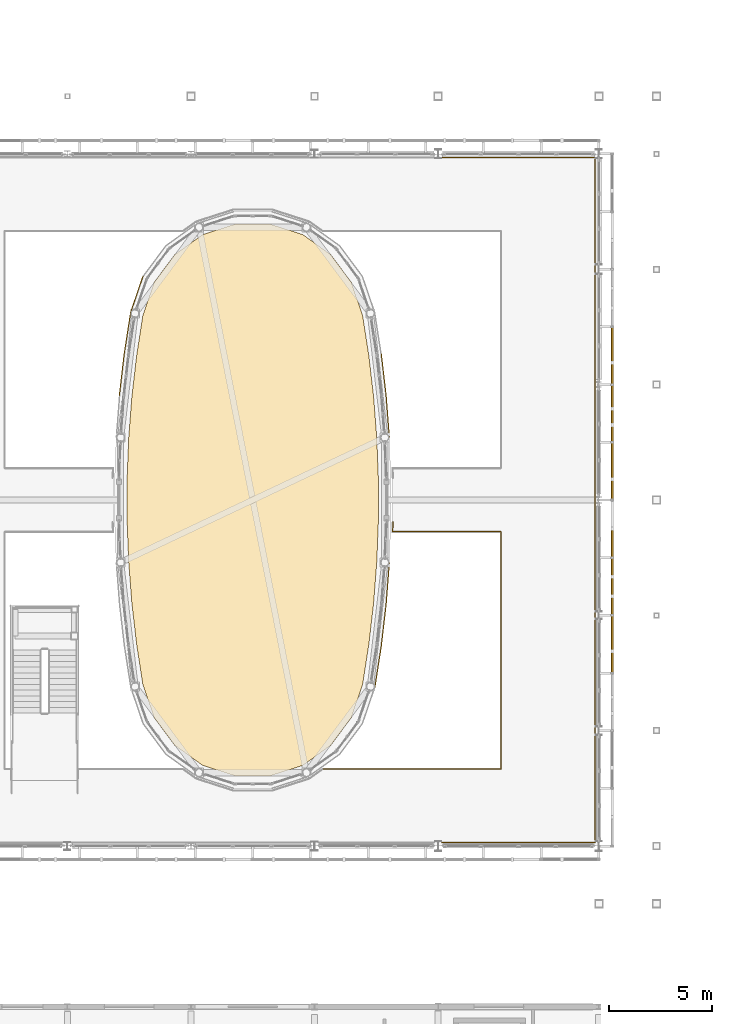
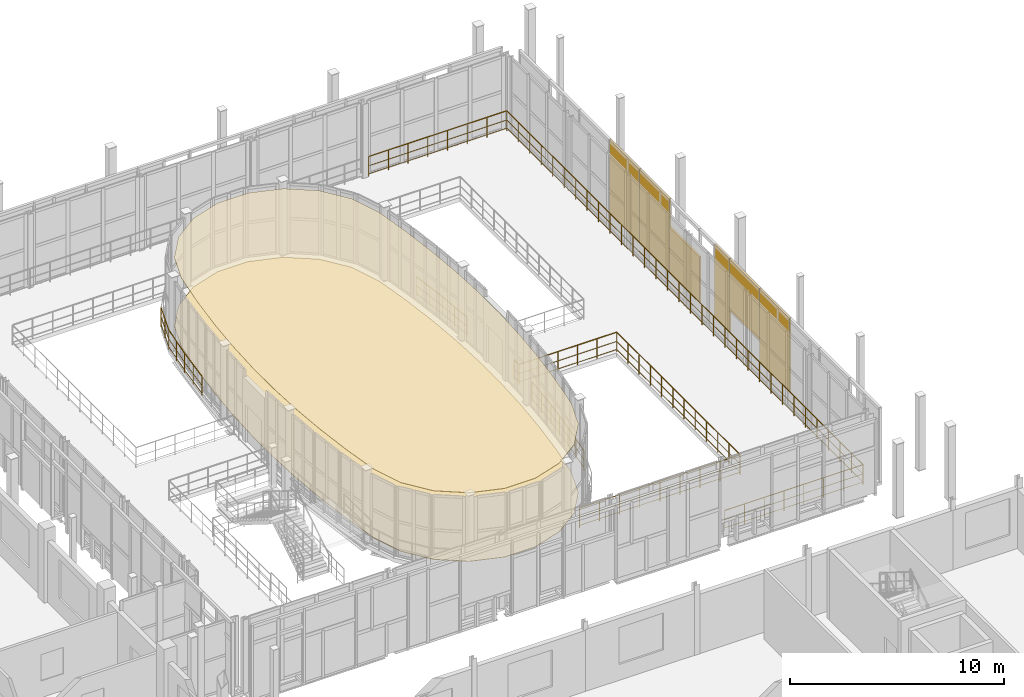
# One storey, part 113 of 121: 10 railings, 6 shading devices, 2 coverings.
"""IFC4 building model written with IfcOpenShell, lengths in metres."""

from ifc_helpers import new_model, si_unit, direction, frame, origin, origin_2d, place, context, subcontext, project, spatial, polyline, rectangle, circle, outline, extrude, material, layer, layer_set, type_object, element, save


model = new_model("IFC4")

# Units and contexts
model_context = context("Model", 3, precision=1e-05, world=origin(), true_north=direction((0.0, 1.0)))
body_context = subcontext(model_context, "Body", "Model", "MODEL_VIEW")
ifc_project = project(units=[si_unit("LENGTHUNIT", "METRE"), si_unit("AREAUNIT", "SQUARE_METRE"), si_unit("VOLUMEUNIT", "CUBIC_METRE"), si_unit("PLANEANGLEUNIT", "RADIAN"), si_unit("MASSUNIT", "GRAM", prefix="KILO")], contexts=[model_context])

# Site, building, storey
site_placement = place(None, origin())
site = spatial("IfcSite", under=ifc_project, at=site_placement, CompositionType="ELEMENT")
building_placement = place(site_placement, origin())
building = spatial("IfcBuilding", under=site, at=building_placement, Name="Vinh Khe Railworks Police Headquarters", CompositionType="ELEMENT")
storey_placement = place(building_placement, frame((0.0, 0.0, 4.800048828125)))
storey = spatial("IfcBuildingStorey", under=building, at=storey_placement, Name="L01", CompositionType="ELEMENT", Elevation=4.800048828125)

# Coverings
ifc_material_1 = material(Name="Mineral fibre acoustic ceiling tile")
ifc_layer_1 = layer(ifc_material_1, 0.034912109375)
ifc_layer_set_1 = layer_set([ifc_layer_1], Name="Mineral fibre acoustic ceiling tile")
covering_type_1 = type_object("IfcCoveringType", Name="COV-CEIL-ACOUSTIC", PredefinedType="CEILING", material=ifc_layer_set_1)
covering_1_placement = place(storey_placement, frame((0.0, 0.0, 3.89501953125)))
element("IfcCovering", 1, at=covering_1_placement, inside=storey, type_object=covering_type_1, Name="Acoustic Ceiling Command and Control Room", PredefinedType="CEILING", context=body_context, shape_type="SweptSolid", body=[
    extrude(outline(polyline([(48.532958984375, 33.03759765625), (48.8369140625, 34.9951171875), (49.068603515625, 36.989013671875), (49.222900390625, 38.990478515625), (49.30029296875, 40.996337890625), (49.30029296875, 43.003662109375), (49.222900390625, 45.009521484375), (49.068603515625, 47.010986328125), (48.8369140625, 49.0048828125), (48.532958984375, 50.96240234375), (47.984619140625, 52.5703125), (46.9873046875, 53.911865234375), (45.627685546875, 54.884765625), (44.035888671875, 55.395751953125), (42.364013671875, 55.395751953125), (40.772216796875, 54.884765625), (39.41259765625, 53.911865234375), (38.415283203125, 52.5703125), (37.8671875, 50.96240234375), (37.56298828125, 49.0048828125), (37.33154296875, 47.010986328125), (37.177001953125, 45.009521484375), (37.099609375, 43.003662109375), (37.099609375, 40.996337890625), (37.177001953125, 38.990478515625), (37.33154296875, 36.989013671875), (37.56298828125, 34.9951171875), (37.8671875, 33.03759765625), (38.415283203125, 31.4296875), (39.41259765625, 30.088134765625), (40.772216796875, 29.115234375), (42.364013671875, 28.604248046875), (44.035888671875, 28.604248046875), (45.627685546875, 29.115234375), (46.9873046875, 30.088134765625), (47.984619140625, 31.4296875), (48.532958984375, 33.03759765625)])), origin(), (0.0, 0.0, 1.0), 0.034912109375),
])
ifc_material_2 = material(Name="Honed granite terrazzo flooring", Category="masonry")
ifc_layer_2 = layer(ifc_material_2, 0.02001953125)
ifc_layer_set_2 = layer_set([ifc_layer_2], Name="Honed granite terrazzo flooring")
covering_type_2 = type_object("IfcCoveringType", Name="COV-FLR-TERRAZZO", PredefinedType="FLOORING", material=ifc_layer_set_2)
covering_2_placement = place(storey_placement, origin())
element("IfcCovering", 2, at=covering_2_placement, inside=storey, type_object=covering_type_2, Name="Terrazzo Floor Finish Command and Control Room", PredefinedType="FLOORING", context=body_context, shape_type="SweptSolid", body=[
    extrude(outline(polyline([(48.532958984375, 33.03759765625), (48.8369140625, 34.9951171875), (49.068603515625, 36.989013671875), (49.222900390625, 38.990478515625), (49.30029296875, 40.996337890625), (49.30029296875, 43.003662109375), (49.222900390625, 45.009521484375), (49.068603515625, 47.010986328125), (48.8369140625, 49.0048828125), (48.532958984375, 50.96240234375), (47.984619140625, 52.5703125), (46.9873046875, 53.911865234375), (45.627685546875, 54.884765625), (44.035888671875, 55.395751953125), (42.364013671875, 55.395751953125), (40.772216796875, 54.884765625), (39.41259765625, 53.911865234375), (38.415283203125, 52.5703125), (37.8671875, 50.96240234375), (37.56298828125, 49.0048828125), (37.33154296875, 47.010986328125), (37.177001953125, 45.009521484375), (37.099609375, 43.003662109375), (37.099609375, 40.996337890625), (37.177001953125, 38.990478515625), (37.33154296875, 36.989013671875), (37.56298828125, 34.9951171875), (37.8671875, 33.03759765625), (38.415283203125, 31.4296875), (39.41259765625, 30.088134765625), (40.772216796875, 29.115234375), (42.364013671875, 28.604248046875), (44.035888671875, 28.604248046875), (45.627685546875, 29.115234375), (46.9873046875, 30.088134765625), (47.984619140625, 31.4296875), (48.532958984375, 33.03759765625)])), origin(), (0.0, 0.0, 1.0), 0.02001953125),
])

# Railings
ifc_material_3 = material(Name="Dark steel and laminated safety glass", Category="steel")
railing_type_1 = type_object("IfcRailingType", Name="RL-ATRIUM-1150", PredefinedType="BALUSTRADE", material=ifc_material_3)
railing_1_placement = place(storey_placement, frame((50.009033203125, 40.949951171875, 0.0)))
element("IfcRailing", 3, at=railing_1_placement, inside=storey, type_object=railing_type_1, Name="Atrium Balustrade GR-V1HOLE-L01-1-04", PredefinedType="BALUSTRADE", context=body_context, shape_type="SweptSolid", body=[
    extrude(circle(Radius=0.02392578125, at=origin_2d()), frame((0.0, 0.0, 1.1259765625), z_axis=(-0.038337515315, -0.999264847235, 0.0), x_axis=(0.999264847235, -0.038337515315, 0.0)), (0.0, 0.0, 1.0), 0.490234375),
    extrude(circle(Radius=0.01416015625, at=origin_2d()), frame((0.0, 0.0, 0.137939453125), z_axis=(-0.038337515315, -0.999264847235, 0.0), x_axis=(0.999264847235, -0.038337515315, 0.0)), (0.0, 0.0, 1.0), 0.490234375),
    extrude(circle(Radius=0.01416015625, at=origin_2d()), frame((0.0, 0.0, 0.597900390625), z_axis=(-0.038337515315, -0.999264847235, 0.0), x_axis=(0.999264847235, -0.038337515315, 0.0)), (0.0, 0.0, 1.0), 0.490234375),
    extrude(circle(Radius=0.02392578125, at=origin_2d()), frame((-0.018798828125, -0.489990234375, 1.1259765625), z_axis=(1.0, 0.0, 0.0), x_axis=(0.0, 1.0, 0.0)), (0.0, 0.0, 1.0), 5.269775390625),
    extrude(circle(Radius=0.01416015625, at=origin_2d()), frame((-0.018798828125, -0.489990234375, 0.137939453125), z_axis=(1.0, 0.0, 0.0), x_axis=(0.0, 1.0, 0.0)), (0.0, 0.0, 1.0), 5.269775390625),
    extrude(circle(Radius=0.01416015625, at=origin_2d()), frame((-0.018798828125, -0.489990234375, 0.597900390625), z_axis=(1.0, 0.0, 0.0), x_axis=(0.0, 1.0, 0.0)), (0.0, 0.0, 1.0), 5.269775390625),
    extrude(circle(Radius=0.02392578125, at=origin_2d()), frame((5.2509765625, -0.489990234375, 1.1259765625), z_axis=(0.0, -1.0, 0.0), x_axis=(1.0, 0.0, 0.0)), (0.0, 0.0, 1.0), 11.52001953125),
    extrude(circle(Radius=0.01416015625, at=origin_2d()), frame((5.2509765625, -0.489990234375, 0.137939453125), z_axis=(0.0, -1.0, 0.0), x_axis=(1.0, 0.0, 0.0)), (0.0, 0.0, 1.0), 11.52001953125),
    extrude(circle(Radius=0.01416015625, at=origin_2d()), frame((5.2509765625, -0.489990234375, 0.597900390625), z_axis=(0.0, -1.0, 0.0), x_axis=(1.0, 0.0, 0.0)), (0.0, 0.0, 1.0), 11.52001953125),
    extrude(circle(Radius=0.02392578125, at=origin_2d()), frame((5.2509765625, -12.010009765625, 1.1259765625), z_axis=(-1.0, 0.0, 0.0), x_axis=(0.0, -1.0, 0.0)), (0.0, 0.0, 1.0), 8.656982421875),
    extrude(circle(Radius=0.01416015625, at=origin_2d()), frame((5.2509765625, -12.010009765625, 0.137939453125), z_axis=(-1.0, 0.0, 0.0), x_axis=(0.0, -1.0, 0.0)), (0.0, 0.0, 1.0), 8.656982421875),
    extrude(circle(Radius=0.01416015625, at=origin_2d()), frame((5.2509765625, -12.010009765625, 0.597900390625), z_axis=(-1.0, 0.0, 0.0), x_axis=(0.0, -1.0, 0.0)), (0.0, 0.0, 1.0), 8.656982421875),
    extrude(circle(Radius=0.02099609375, at=origin_2d()), origin(), (0.0, 0.0, 1.0), 1.101806640625),
    extrude(circle(Radius=0.02099609375, at=origin_2d()), frame((-0.018798828125, -0.489990234375, 0.0)), (0.0, 0.0, 1.0), 1.101806640625),
    extrude(circle(Radius=0.02099609375, at=origin_2d()), frame((1.03515625, -0.489990234375, 0.0)), (0.0, 0.0, 1.0), 1.101806640625),
    extrude(circle(Radius=0.02099609375, at=origin_2d()), frame((2.089111328125, -0.489990234375, 0.0)), (0.0, 0.0, 1.0), 1.101806640625),
    extrude(circle(Radius=0.02099609375, at=origin_2d()), frame((3.14306640625, -0.489990234375, 0.0)), (0.0, 0.0, 1.0), 1.101806640625),
    extrude(circle(Radius=0.02099609375, at=origin_2d()), frame((4.197021484375, -0.489990234375, 0.0)), (0.0, 0.0, 1.0), 1.101806640625),
    extrude(circle(Radius=0.02099609375, at=origin_2d()), frame((5.2509765625, -0.489990234375, 0.0)), (0.0, 0.0, 1.0), 1.101806640625),
    extrude(circle(Radius=0.02099609375, at=origin_2d()), frame((5.2509765625, -1.537353515625, 0.0)), (0.0, 0.0, 1.0), 1.101806640625),
    extrude(circle(Radius=0.02099609375, at=origin_2d()), frame((5.2509765625, -2.58447265625, 0.0)), (0.0, 0.0, 1.0), 1.101806640625),
    extrude(circle(Radius=0.02099609375, at=origin_2d()), frame((5.2509765625, -3.6318359375, 0.0)), (0.0, 0.0, 1.0), 1.101806640625),
    extrude(circle(Radius=0.02099609375, at=origin_2d()), frame((5.2509765625, -4.67919921875, 0.0)), (0.0, 0.0, 1.0), 1.101806640625),
    extrude(circle(Radius=0.02099609375, at=origin_2d()), frame((5.2509765625, -5.726318359375, 0.0)), (0.0, 0.0, 1.0), 1.101806640625),
    extrude(circle(Radius=0.02099609375, at=origin_2d()), frame((5.2509765625, -6.773681640625, 0.0)), (0.0, 0.0, 1.0), 1.101806640625),
    extrude(circle(Radius=0.02099609375, at=origin_2d()), frame((5.2509765625, -7.82080078125, 0.0)), (0.0, 0.0, 1.0), 1.101806640625),
    extrude(circle(Radius=0.02099609375, at=origin_2d()), frame((5.2509765625, -8.8681640625, 0.0)), (0.0, 0.0, 1.0), 1.101806640625),
    extrude(circle(Radius=0.02099609375, at=origin_2d()), frame((5.2509765625, -9.91552734375, 0.0)), (0.0, 0.0, 1.0), 1.101806640625),
    extrude(circle(Radius=0.02099609375, at=origin_2d()), frame((5.2509765625, -10.962646484375, 0.0)), (0.0, 0.0, 1.0), 1.101806640625),
    extrude(circle(Radius=0.02099609375, at=origin_2d()), frame((5.2509765625, -12.010009765625, 0.0)), (0.0, 0.0, 1.0), 1.101806640625),
    extrude(circle(Radius=0.02099609375, at=origin_2d()), frame((4.1689453125, -12.010009765625, 0.0)), (0.0, 0.0, 1.0), 1.101806640625),
    extrude(circle(Radius=0.02099609375, at=origin_2d()), frame((3.086669921875, -12.010009765625, 0.0)), (0.0, 0.0, 1.0), 1.101806640625),
    extrude(circle(Radius=0.02099609375, at=origin_2d()), frame((2.004638671875, -12.010009765625, 0.0)), (0.0, 0.0, 1.0), 1.101806640625),
    extrude(circle(Radius=0.02099609375, at=origin_2d()), frame((0.92236328125, -12.010009765625, 0.0)), (0.0, 0.0, 1.0), 1.101806640625),
    extrude(circle(Radius=0.02099609375, at=origin_2d()), frame((-0.15966796875, -12.010009765625, 0.0)), (0.0, 0.0, 1.0), 1.101806640625),
    extrude(circle(Radius=0.02099609375, at=origin_2d()), frame((-1.24169921875, -12.010009765625, 0.0)), (0.0, 0.0, 1.0), 1.101806640625),
    extrude(circle(Radius=0.02099609375, at=origin_2d()), frame((-2.323974609375, -12.010009765625, 0.0)), (0.0, 0.0, 1.0), 1.101806640625),
    extrude(circle(Radius=0.02099609375, at=origin_2d()), frame((-3.406005859375, -12.010009765625, 0.0)), (0.0, 0.0, 1.0), 1.101806640625),
])
railing_2_placement = place(storey_placement, frame((52.375, 25.3798828125, 0.0)))
element("IfcRailing", 4, at=railing_2_placement, inside=storey, type_object=railing_type_1, Name="Atrium Balustrade GR-V1PERIM-L01-04", PredefinedType="BALUSTRADE", context=body_context, shape_type="SweptSolid", body=[
    extrude(circle(Radius=0.02392578125, at=origin_2d()), frame((0.0, 0.0, 1.1259765625), z_axis=(1.0, 0.0, 0.0), x_axis=(0.0, 1.0, 0.0)), (0.0, 0.0, 1.0), 7.445068359375),
    extrude(circle(Radius=0.01416015625, at=origin_2d()), frame((0.0, 0.0, 0.137939453125), z_axis=(1.0, 0.0, 0.0), x_axis=(0.0, 1.0, 0.0)), (0.0, 0.0, 1.0), 7.445068359375),
    extrude(circle(Radius=0.01416015625, at=origin_2d()), frame((0.0, 0.0, 0.597900390625), z_axis=(1.0, 0.0, 0.0), x_axis=(0.0, 1.0, 0.0)), (0.0, 0.0, 1.0), 7.445068359375),
    extrude(circle(Radius=0.02392578125, at=origin_2d()), frame((7.445068359375, 0.0, 1.1259765625), z_axis=(0.0, 1.0, 0.0), x_axis=(-1.0, 0.0, 0.0)), (0.0, 0.0, 1.0), 33.240234375),
    extrude(circle(Radius=0.01416015625, at=origin_2d()), frame((7.445068359375, 0.0, 0.137939453125), z_axis=(0.0, 1.0, 0.0), x_axis=(-1.0, 0.0, 0.0)), (0.0, 0.0, 1.0), 33.240234375),
    extrude(circle(Radius=0.01416015625, at=origin_2d()), frame((7.445068359375, 0.0, 0.597900390625), z_axis=(0.0, 1.0, 0.0), x_axis=(-1.0, 0.0, 0.0)), (0.0, 0.0, 1.0), 33.240234375),
    extrude(circle(Radius=0.02392578125, at=origin_2d()), frame((7.445068359375, 33.240234375, 1.1259765625), z_axis=(-1.0, 0.0, 0.0), x_axis=(0.0, -1.0, 0.0)), (0.0, 0.0, 1.0), 7.445068359375),
    extrude(circle(Radius=0.01416015625, at=origin_2d()), frame((7.445068359375, 33.240234375, 0.137939453125), z_axis=(-1.0, 0.0, 0.0), x_axis=(0.0, -1.0, 0.0)), (0.0, 0.0, 1.0), 7.445068359375),
    extrude(circle(Radius=0.01416015625, at=origin_2d()), frame((7.445068359375, 33.240234375, 0.597900390625), z_axis=(-1.0, 0.0, 0.0), x_axis=(0.0, -1.0, 0.0)), (0.0, 0.0, 1.0), 7.445068359375),
    extrude(circle(Radius=0.02099609375, at=origin_2d()), origin(), (0.0, 0.0, 1.0), 1.101806640625),
    extrude(circle(Radius=0.02099609375, at=origin_2d()), frame((1.0634765625, 0.0, 0.0)), (0.0, 0.0, 1.0), 1.101806640625),
    extrude(circle(Radius=0.02099609375, at=origin_2d()), frame((2.127197265625, 0.0, 0.0)), (0.0, 0.0, 1.0), 1.101806640625),
    extrude(circle(Radius=0.02099609375, at=origin_2d()), frame((3.190673828125, 0.0, 0.0)), (0.0, 0.0, 1.0), 1.101806640625),
    extrude(circle(Radius=0.02099609375, at=origin_2d()), frame((4.25439453125, 0.0, 0.0)), (0.0, 0.0, 1.0), 1.101806640625),
    extrude(circle(Radius=0.02099609375, at=origin_2d()), frame((5.31787109375, 0.0, 0.0)), (0.0, 0.0, 1.0), 1.101806640625),
    extrude(circle(Radius=0.02099609375, at=origin_2d()), frame((6.381591796875, 0.0, 0.0)), (0.0, 0.0, 1.0), 1.101806640625),
    extrude(circle(Radius=0.02099609375, at=origin_2d()), frame((7.445068359375, 0.0, 0.0)), (0.0, 0.0, 1.0), 1.101806640625),
    extrude(circle(Radius=0.02099609375, at=origin_2d()), frame((7.445068359375, 1.072265625, 0.0)), (0.0, 0.0, 1.0), 1.101806640625),
    extrude(circle(Radius=0.02099609375, at=origin_2d()), frame((7.445068359375, 2.14453125, 0.0)), (0.0, 0.0, 1.0), 1.101806640625),
    extrude(circle(Radius=0.02099609375, at=origin_2d()), frame((7.445068359375, 3.216796875, 0.0)), (0.0, 0.0, 1.0), 1.101806640625),
    extrude(circle(Radius=0.02099609375, at=origin_2d()), frame((7.445068359375, 4.2890625, 0.0)), (0.0, 0.0, 1.0), 1.101806640625),
    extrude(circle(Radius=0.02099609375, at=origin_2d()), frame((7.445068359375, 5.361328125, 0.0)), (0.0, 0.0, 1.0), 1.101806640625),
    extrude(circle(Radius=0.02099609375, at=origin_2d()), frame((7.445068359375, 6.43359375, 0.0)), (0.0, 0.0, 1.0), 1.101806640625),
    extrude(circle(Radius=0.02099609375, at=origin_2d()), frame((7.445068359375, 7.505859375, 0.0)), (0.0, 0.0, 1.0), 1.101806640625),
    extrude(circle(Radius=0.02099609375, at=origin_2d()), frame((7.445068359375, 8.578125, 0.0)), (0.0, 0.0, 1.0), 1.101806640625),
    extrude(circle(Radius=0.02099609375, at=origin_2d()), frame((7.445068359375, 9.650390625, 0.0)), (0.0, 0.0, 1.0), 1.101806640625),
    extrude(circle(Radius=0.02099609375, at=origin_2d()), frame((7.445068359375, 10.72265625, 0.0)), (0.0, 0.0, 1.0), 1.101806640625),
    extrude(circle(Radius=0.02099609375, at=origin_2d()), frame((7.445068359375, 11.794921875, 0.0)), (0.0, 0.0, 1.0), 1.101806640625),
    extrude(circle(Radius=0.02099609375, at=origin_2d()), frame((7.445068359375, 12.8671875, 0.0)), (0.0, 0.0, 1.0), 1.101806640625),
    extrude(circle(Radius=0.02099609375, at=origin_2d()), frame((7.445068359375, 13.939453125, 0.0)), (0.0, 0.0, 1.0), 1.101806640625),
    extrude(circle(Radius=0.02099609375, at=origin_2d()), frame((7.445068359375, 15.01171875, 0.0)), (0.0, 0.0, 1.0), 1.101806640625),
    extrude(circle(Radius=0.02099609375, at=origin_2d()), frame((7.445068359375, 16.083984375, 0.0)), (0.0, 0.0, 1.0), 1.101806640625),
    extrude(circle(Radius=0.02099609375, at=origin_2d()), frame((7.445068359375, 17.15625, 0.0)), (0.0, 0.0, 1.0), 1.101806640625),
    extrude(circle(Radius=0.02099609375, at=origin_2d()), frame((7.445068359375, 18.228515625, 0.0)), (0.0, 0.0, 1.0), 1.101806640625),
    extrude(circle(Radius=0.02099609375, at=origin_2d()), frame((7.445068359375, 19.30078125, 0.0)), (0.0, 0.0, 1.0), 1.101806640625),
    extrude(circle(Radius=0.02099609375, at=origin_2d()), frame((7.445068359375, 20.373046875, 0.0)), (0.0, 0.0, 1.0), 1.101806640625),
    extrude(circle(Radius=0.02099609375, at=origin_2d()), frame((7.445068359375, 21.4453125, 0.0)), (0.0, 0.0, 1.0), 1.101806640625),
    extrude(circle(Radius=0.02099609375, at=origin_2d()), frame((7.445068359375, 22.517578125, 0.0)), (0.0, 0.0, 1.0), 1.101806640625),
    extrude(circle(Radius=0.02099609375, at=origin_2d()), frame((7.445068359375, 23.58984375, 0.0)), (0.0, 0.0, 1.0), 1.101806640625),
    extrude(circle(Radius=0.02099609375, at=origin_2d()), frame((7.445068359375, 24.662109375, 0.0)), (0.0, 0.0, 1.0), 1.101806640625),
    extrude(circle(Radius=0.02099609375, at=origin_2d()), frame((7.445068359375, 25.734375, 0.0)), (0.0, 0.0, 1.0), 1.101806640625),
    extrude(circle(Radius=0.02099609375, at=origin_2d()), frame((7.445068359375, 26.806640625, 0.0)), (0.0, 0.0, 1.0), 1.101806640625),
    extrude(circle(Radius=0.02099609375, at=origin_2d()), frame((7.445068359375, 27.87890625, 0.0)), (0.0, 0.0, 1.0), 1.101806640625),
    extrude(circle(Radius=0.02099609375, at=origin_2d()), frame((7.445068359375, 28.951171875, 0.0)), (0.0, 0.0, 1.0), 1.101806640625),
    extrude(circle(Radius=0.02099609375, at=origin_2d()), frame((7.445068359375, 30.0234375, 0.0)), (0.0, 0.0, 1.0), 1.101806640625),
    extrude(circle(Radius=0.02099609375, at=origin_2d()), frame((7.445068359375, 31.095703125, 0.0)), (0.0, 0.0, 1.0), 1.101806640625),
    extrude(circle(Radius=0.02099609375, at=origin_2d()), frame((7.445068359375, 32.16796875, 0.0)), (0.0, 0.0, 1.0), 1.101806640625),
    extrude(circle(Radius=0.02099609375, at=origin_2d()), frame((7.445068359375, 33.240234375, 0.0)), (0.0, 0.0, 1.0), 1.101806640625),
    extrude(circle(Radius=0.02099609375, at=origin_2d()), frame((6.381591796875, 33.240234375, 0.0)), (0.0, 0.0, 1.0), 1.101806640625),
    extrude(circle(Radius=0.02099609375, at=origin_2d()), frame((5.31787109375, 33.240234375, 0.0)), (0.0, 0.0, 1.0), 1.101806640625),
    extrude(circle(Radius=0.02099609375, at=origin_2d()), frame((4.25439453125, 33.240234375, 0.0)), (0.0, 0.0, 1.0), 1.101806640625),
    extrude(circle(Radius=0.02099609375, at=origin_2d()), frame((3.190673828125, 33.240234375, 0.0)), (0.0, 0.0, 1.0), 1.101806640625),
    extrude(circle(Radius=0.02099609375, at=origin_2d()), frame((2.127197265625, 33.240234375, 0.0)), (0.0, 0.0, 1.0), 1.101806640625),
    extrude(circle(Radius=0.02099609375, at=origin_2d()), frame((1.0634765625, 33.240234375, 0.0)), (0.0, 0.0, 1.0), 1.101806640625),
    extrude(circle(Radius=0.02099609375, at=origin_2d()), frame((0.0, 33.240234375, 0.0)), (0.0, 0.0, 1.0), 1.101806640625),
])
ifc_material_4 = material(Name="Painted tubular steel", Category="steel")
railing_type_2 = type_object("IfcRailingType", Name="RL-GUARD-1100", PredefinedType="GUARDRAIL", material=ifc_material_4)
railing_3_placement = place(storey_placement, frame((49.12744140625, 32.891357421875, 0.0)))
element("IfcRailing", 5, at=railing_3_placement, inside=storey, type_object=railing_type_2, Name="Slab Corner Notch Guard L01-19", PredefinedType="GUARDRAIL", context=body_context, shape_type="SweptSolid", body=[
    extrude(circle(Radius=0.02392578125, at=origin_2d()), frame((0.0, 0.0, 1.09619140625), z_axis=(0.153455860094, 0.988155503452, 0.0), x_axis=(-0.988155503452, 0.153455860094, 0.0)), (0.0, 0.0, 1.0), 2.0458984375),
    extrude(circle(Radius=0.01416015625, at=origin_2d()), frame((0.0, 0.0, 0.134521484375), z_axis=(0.153455860094, 0.988155503452, 0.0), x_axis=(-0.988155503452, 0.153455860094, 0.0)), (0.0, 0.0, 1.0), 2.0458984375),
    extrude(circle(Radius=0.01416015625, at=origin_2d()), frame((0.0, 0.0, 0.58251953125), z_axis=(0.153455860094, 0.988155503452, 0.0), x_axis=(-0.988155503452, 0.153455860094, 0.0)), (0.0, 0.0, 1.0), 2.0458984375),
    extrude(circle(Radius=0.02099609375, at=origin_2d()), origin(), (0.0, 0.0, 1.0), 1.072021484375),
    extrude(circle(Radius=0.02099609375, at=origin_2d()), frame((0.156982421875, 1.0107421875, 0.0)), (0.0, 0.0, 1.0), 1.072021484375),
    extrude(circle(Radius=0.02099609375, at=origin_2d()), frame((0.31396484375, 2.021728515625, 0.0)), (0.0, 0.0, 1.0), 1.072021484375),
])
railing_4_placement = place(storey_placement, frame((49.44140625, 34.9130859375, 0.0)))
element("IfcRailing", 6, at=railing_4_placement, inside=storey, type_object=railing_type_2, Name="Slab Corner Notch Guard L01-20", PredefinedType="GUARDRAIL", context=body_context, shape_type="SweptSolid", body=[
    extrude(circle(Radius=0.02392578125, at=origin_2d()), frame((0.0, 0.0, 1.09619140625), z_axis=(0.115404315309, 0.993318601461, 0.0), x_axis=(-0.993318601461, 0.115404315309, 0.0)), (0.0, 0.0, 1.0), 2.031005859375),
    extrude(circle(Radius=0.01416015625, at=origin_2d()), frame((0.0, 0.0, 0.134521484375), z_axis=(0.115404315309, 0.993318601461, 0.0), x_axis=(-0.993318601461, 0.115404315309, 0.0)), (0.0, 0.0, 1.0), 2.031005859375),
    extrude(circle(Radius=0.01416015625, at=origin_2d()), frame((0.0, 0.0, 0.58251953125), z_axis=(0.115404315309, 0.993318601461, 0.0), x_axis=(-0.993318601461, 0.115404315309, 0.0)), (0.0, 0.0, 1.0), 2.031005859375),
    extrude(circle(Radius=0.02099609375, at=origin_2d()), origin(), (0.0, 0.0, 1.0), 1.072021484375),
    extrude(circle(Radius=0.02099609375, at=origin_2d()), frame((0.1171875, 1.0087890625, 0.0)), (0.0, 0.0, 1.0), 1.072021484375),
    extrude(circle(Radius=0.02099609375, at=origin_2d()), frame((0.234375, 2.017333984375, 0.0)), (0.0, 0.0, 1.0), 1.072021484375),
])
railing_5_placement = place(storey_placement, frame((49.67578125, 36.930419921875, 0.0)))
element("IfcRailing", 7, at=railing_5_placement, inside=storey, type_object=railing_type_2, Name="Slab Corner Notch Guard L01-21", PredefinedType="GUARDRAIL", context=body_context, shape_type="SweptSolid", body=[
    extrude(circle(Radius=0.02392578125, at=origin_2d()), frame((0.0, 0.0, 1.09619140625), z_axis=(0.076944728121, 0.997035359862, 0.0), x_axis=(-0.997035359862, 0.076944728121, 0.0)), (0.0, 0.0, 1.0), 2.03076171875),
    extrude(circle(Radius=0.01416015625, at=origin_2d()), frame((0.0, 0.0, 0.134521484375), z_axis=(0.076944728121, 0.997035359862, 0.0), x_axis=(-0.997035359862, 0.076944728121, 0.0)), (0.0, 0.0, 1.0), 2.03076171875),
    extrude(circle(Radius=0.01416015625, at=origin_2d()), frame((0.0, 0.0, 0.58251953125), z_axis=(0.076944728121, 0.997035359862, 0.0), x_axis=(-0.997035359862, 0.076944728121, 0.0)), (0.0, 0.0, 1.0), 2.03076171875),
    extrude(circle(Radius=0.02099609375, at=origin_2d()), origin(), (0.0, 0.0, 1.0), 1.072021484375),
    extrude(circle(Radius=0.02099609375, at=origin_2d()), frame((0.078125, 1.01220703125, 0.0)), (0.0, 0.0, 1.0), 1.072021484375),
    extrude(circle(Radius=0.02099609375, at=origin_2d()), frame((0.15625, 2.024658203125, 0.0)), (0.0, 0.0, 1.0), 1.072021484375),
])
railing_6_placement = place(storey_placement, frame((49.83203125, 45.044921875, 0.0)))
element("IfcRailing", 8, at=railing_6_placement, inside=storey, type_object=railing_type_2, Name="Slab Corner Notch Guard L01-22", PredefinedType="GUARDRAIL", context=body_context, shape_type="SweptSolid", body=[
    extrude(circle(Radius=0.02392578125, at=origin_2d()), frame((0.0, 0.0, 1.09619140625), z_axis=(-0.076944728121, 0.997035359862, 0.0), x_axis=(-0.997035359862, -0.076944728121, 0.0)), (0.0, 0.0, 1.0), 2.03076171875),
    extrude(circle(Radius=0.01416015625, at=origin_2d()), frame((0.0, 0.0, 0.134521484375), z_axis=(-0.076944728121, 0.997035359862, 0.0), x_axis=(-0.997035359862, -0.076944728121, 0.0)), (0.0, 0.0, 1.0), 2.03076171875),
    extrude(circle(Radius=0.01416015625, at=origin_2d()), frame((0.0, 0.0, 0.58251953125), z_axis=(-0.076944728121, 0.997035359862, 0.0), x_axis=(-0.997035359862, -0.076944728121, 0.0)), (0.0, 0.0, 1.0), 2.03076171875),
    extrude(circle(Radius=0.02099609375, at=origin_2d()), origin(), (0.0, 0.0, 1.0), 1.072021484375),
    extrude(circle(Radius=0.02099609375, at=origin_2d()), frame((-0.078125, 1.01220703125, 0.0)), (0.0, 0.0, 1.0), 1.072021484375),
    extrude(circle(Radius=0.02099609375, at=origin_2d()), frame((-0.15625, 2.024658203125, 0.0)), (0.0, 0.0, 1.0), 1.072021484375),
])
railing_7_placement = place(storey_placement, frame((49.67578125, 47.069580078125, 0.0)))
element("IfcRailing", 9, at=railing_7_placement, inside=storey, type_object=railing_type_2, Name="Slab Corner Notch Guard L01-23", PredefinedType="GUARDRAIL", context=body_context, shape_type="SweptSolid", body=[
    extrude(circle(Radius=0.02392578125, at=origin_2d()), frame((0.0, 0.0, 1.09619140625), z_axis=(-0.115404315309, 0.993318601461, 0.0), x_axis=(-0.993318601461, -0.115404315309, 0.0)), (0.0, 0.0, 1.0), 2.031005859375),
    extrude(circle(Radius=0.01416015625, at=origin_2d()), frame((0.0, 0.0, 0.134521484375), z_axis=(-0.115404315309, 0.993318601461, 0.0), x_axis=(-0.993318601461, -0.115404315309, 0.0)), (0.0, 0.0, 1.0), 2.031005859375),
    extrude(circle(Radius=0.01416015625, at=origin_2d()), frame((0.0, 0.0, 0.58251953125), z_axis=(-0.115404315309, 0.993318601461, 0.0), x_axis=(-0.993318601461, -0.115404315309, 0.0)), (0.0, 0.0, 1.0), 2.031005859375),
    extrude(circle(Radius=0.02099609375, at=origin_2d()), origin(), (0.0, 0.0, 1.0), 1.072021484375),
    extrude(circle(Radius=0.02099609375, at=origin_2d()), frame((-0.1171875, 1.0087890625, 0.0)), (0.0, 0.0, 1.0), 1.072021484375),
    extrude(circle(Radius=0.02099609375, at=origin_2d()), frame((-0.234375, 2.017333984375, 0.0)), (0.0, 0.0, 1.0), 1.072021484375),
])
railing_8_placement = place(storey_placement, frame((37.868896484375, 52.857421875, 0.0)))
element("IfcRailing", 10, at=railing_8_placement, inside=storey, type_object=railing_type_2, Name="Slab Corner Notch Guard L01-32", PredefinedType="GUARDRAIL", context=body_context, shape_type="SweptSolid", body=[
    extrude(circle(Radius=0.02392578125, at=origin_2d()), frame((0.0, 0.0, 1.09619140625), z_axis=(-0.322800371267, -0.946467073019, 0.0), x_axis=(0.946467073019, -0.322800371267, 0.0)), (0.0, 0.0, 1.0), 1.84765625),
    extrude(circle(Radius=0.01416015625, at=origin_2d()), frame((0.0, 0.0, 0.134521484375), z_axis=(-0.322800371267, -0.946467073019, 0.0), x_axis=(0.946467073019, -0.322800371267, 0.0)), (0.0, 0.0, 1.0), 1.84765625),
    extrude(circle(Radius=0.01416015625, at=origin_2d()), frame((0.0, 0.0, 0.58251953125), z_axis=(-0.322800371267, -0.946467073019, 0.0), x_axis=(0.946467073019, -0.322800371267, 0.0)), (0.0, 0.0, 1.0), 1.84765625),
    extrude(circle(Radius=0.02099609375, at=origin_2d()), origin(), (0.0, 0.0, 1.0), 1.072021484375),
    extrude(circle(Radius=0.02099609375, at=origin_2d()), frame((-0.29833984375, -0.87451171875, 0.0)), (0.0, 0.0, 1.0), 1.072021484375),
    extrude(circle(Radius=0.02099609375, at=origin_2d()), frame((-0.596435546875, -1.748779296875, 0.0)), (0.0, 0.0, 1.0), 1.072021484375),
])
railing_9_placement = place(storey_placement, frame((37.2724609375, 51.108642578125, 0.0)))
element("IfcRailing", 11, at=railing_9_placement, inside=storey, type_object=railing_type_2, Name="Slab Corner Notch Guard L01-33", PredefinedType="GUARDRAIL", context=body_context, shape_type="SweptSolid", body=[
    extrude(circle(Radius=0.02392578125, at=origin_2d()), frame((0.0, 0.0, 1.09619140625), z_axis=(-0.153455860094, -0.988155503452, 0.0), x_axis=(0.988155503452, -0.153455860094, 0.0)), (0.0, 0.0, 1.0), 2.0458984375),
    extrude(circle(Radius=0.01416015625, at=origin_2d()), frame((0.0, 0.0, 0.134521484375), z_axis=(-0.153455860094, -0.988155503452, 0.0), x_axis=(0.988155503452, -0.153455860094, 0.0)), (0.0, 0.0, 1.0), 2.0458984375),
    extrude(circle(Radius=0.01416015625, at=origin_2d()), frame((0.0, 0.0, 0.58251953125), z_axis=(-0.153455860094, -0.988155503452, 0.0), x_axis=(0.988155503452, -0.153455860094, 0.0)), (0.0, 0.0, 1.0), 2.0458984375),
    extrude(circle(Radius=0.02099609375, at=origin_2d()), origin(), (0.0, 0.0, 1.0), 1.072021484375),
    extrude(circle(Radius=0.02099609375, at=origin_2d()), frame((-0.156982421875, -1.0107421875, 0.0)), (0.0, 0.0, 1.0), 1.072021484375),
    extrude(circle(Radius=0.02099609375, at=origin_2d()), frame((-0.31396484375, -2.021728515625, 0.0)), (0.0, 0.0, 1.0), 1.072021484375),
])
railing_10_placement = place(storey_placement, frame((36.95849609375, 49.0869140625, 0.0)))
element("IfcRailing", 12, at=railing_10_placement, inside=storey, type_object=railing_type_2, Name="Slab Corner Notch Guard L01-34", PredefinedType="GUARDRAIL", context=body_context, shape_type="SweptSolid", body=[
    extrude(circle(Radius=0.02392578125, at=origin_2d()), frame((0.0, 0.0, 1.09619140625), z_axis=(-0.115285701027, -0.993332374958, 0.0), x_axis=(0.993332374958, -0.115285701027, 0.0)), (0.0, 0.0, 1.0), 2.03076171875),
    extrude(circle(Radius=0.01416015625, at=origin_2d()), frame((0.0, 0.0, 0.134521484375), z_axis=(-0.115285701027, -0.993332374958, 0.0), x_axis=(0.993332374958, -0.115285701027, 0.0)), (0.0, 0.0, 1.0), 2.03076171875),
    extrude(circle(Radius=0.01416015625, at=origin_2d()), frame((0.0, 0.0, 0.58251953125), z_axis=(-0.115285701027, -0.993332374958, 0.0), x_axis=(0.993332374958, -0.115285701027, 0.0)), (0.0, 0.0, 1.0), 2.03076171875),
    extrude(circle(Radius=0.02099609375, at=origin_2d()), origin(), (0.0, 0.0, 1.0), 1.072021484375),
    extrude(circle(Radius=0.02099609375, at=origin_2d()), frame((-0.1171875, -1.0087890625, 0.0)), (0.0, 0.0, 1.0), 1.072021484375),
    extrude(circle(Radius=0.02099609375, at=origin_2d()), frame((-0.234130859375, -2.017333984375, 0.0)), (0.0, 0.0, 1.0), 1.072021484375),
])

# Shading devices
ifc_material_5 = material(Name="Salvaged ironwood timber", Category="wood")
shading_device_type_1 = type_object("IfcShadingDeviceType", Name="SHD-QS-01", PredefinedType="JALOUSIE", material=ifc_material_5)
shading_device_1_placement = place(storey_placement, frame((60.64990234375, 37.800048828125, 1.260009765625), z_axis=(0.0, 0.0, 1.0), x_axis=(0.0, 1.0, 0.0)))
element("IfcShadingDevice", 13, at=shading_device_1_placement, inside=storey, type_object=shading_device_type_1, Name="Salvaged Ironwood Upper Quilt Frame E-5", PredefinedType="JALOUSIE", context=body_context, shape_type="SweptSolid", body=[
    extrude(rectangle(XDim=2.800048828125, YDim=0.090087890625, at=origin_2d()), origin(), (0.0, 0.0, 1.0), 2.93994140625),
])
shading_device_2_placement = place(storey_placement, frame((60.64990234375, 43.39990234375, 0.0), z_axis=(0.0, 0.0, 1.0), x_axis=(0.0, 1.0, 0.0)))
element("IfcShadingDevice", 14, at=shading_device_2_placement, inside=storey, type_object=shading_device_type_1, Name="Salvaged Ironwood Quilt Casement E-7", PredefinedType="JALOUSIE", context=body_context, shape_type="SweptSolid", body=[
    extrude(rectangle(XDim=2.800048828125, YDim=0.090087890625, at=origin_2d()), origin(), (0.0, 0.0, 1.0), 2.60400390625),
])
shading_device_type_2 = type_object("IfcShadingDeviceType", Name="SHD-QS-02", PredefinedType="JALOUSIE", material=ifc_material_5)
shading_device_3_placement = place(storey_placement, frame((60.64990234375, 39.89990234375, 0.0), z_axis=(0.0, 0.0, 1.0), x_axis=(0.0, 1.0, 0.0)))
element("IfcShadingDevice", 15, at=shading_device_3_placement, inside=storey, type_object=shading_device_type_2, Name="Ironwood Tall Quilt Casement E-6L", PredefinedType="JALOUSIE", context=body_context, shape_type="SweptSolid", body=[
    extrude(rectangle(XDim=1.39990234375, YDim=0.090087890625, at=origin_2d()), origin(), (0.0, 0.0, 1.0), 4.199951171875),
])
ifc_material_6 = material(Name="Weathered architectural steel", Category="steel")
shading_device_type_3 = type_object("IfcShadingDeviceType", Name="SHD-QS-03", PredefinedType="SHUTTER", material=ifc_material_6)
for number, where, z_axis, x_axis, name in (
    (16, (60.64990234375, 35.0, 0.0), (0.0, 0.0, 1.0), (0.0, 1.0, 0.0), "Dark Steel Patchwork Casement Frame E-4"),
    (17, (60.64990234375, 49.0, 0.0), (0.0, 0.0, 1.0), (0.0, 1.0, 0.0), "Dark Steel Patchwork Casement Frame E-9"),
):
    element("IfcShadingDevice", number, at=place(storey_placement, frame(where, z_axis=z_axis, x_axis=x_axis)), inside=storey, type_object=shading_device_type_3, Name=name, PredefinedType="SHUTTER", context=body_context, shape_type="SweptSolid", body=[
        extrude(rectangle(XDim=2.800048828125, YDim=0.080078125, at=origin_2d()), origin(), (0.0, 0.0, 1.0), 4.199951171875),
    ])
shading_device_type_4 = type_object("IfcShadingDeviceType", Name="SHD-QS-04", PredefinedType="SHUTTER", material=ifc_material_5)
shading_device_4_placement = place(storey_placement, frame((60.64990234375, 46.199951171875, 0.0), z_axis=(0.0, 0.0, 1.0), x_axis=(0.0, 1.0, 0.0)))
element("IfcShadingDevice", 18, at=shading_device_4_placement, inside=storey, type_object=shading_device_type_4, Name="Shuttered Ironwood Casement E-8", PredefinedType="SHUTTER", context=body_context, shape_type="SweptSolid", body=[
    extrude(rectangle(XDim=2.800048828125, YDim=0.090087890625, at=origin_2d()), origin(), (0.0, 0.0, 1.0), 4.199951171875),
])

save(model, "model.ifc")
